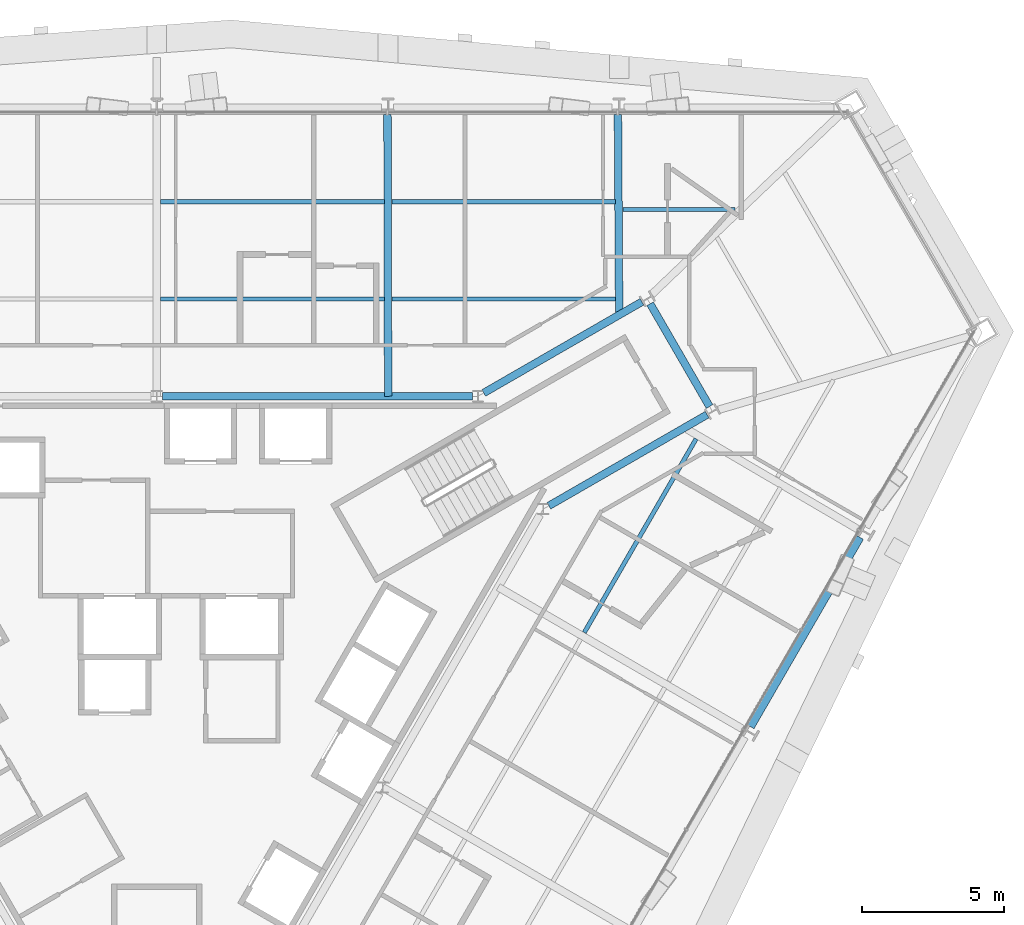
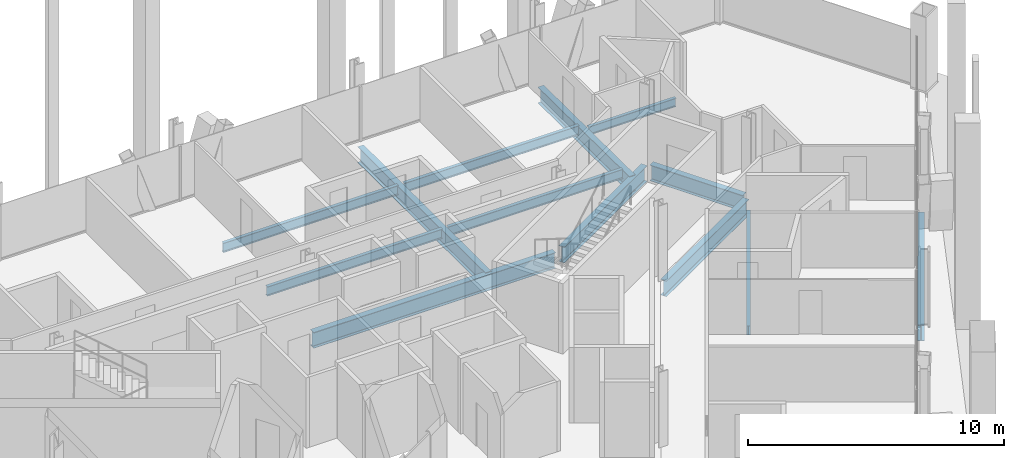
# One storey, part 9 of 19: 13 beams.
"""IFC4 building model written with IfcOpenShell, lengths in metres."""

import ifcopenshell
import ifcopenshell.guid

model = None  # the IFC model being written
_history = None  # IfcOwnerHistory: only IFC2X3 demands one
_inside = {}  # id of a spatial element -> (the spatial element, [elements in it])
_under = {}  # id of a project, library or spatial element -> (it, [spatial elements below it])
_declared = {}  # id of a project -> (the project, [libraries it declares])
_typed = {}  # id of a type object -> (the type object, [elements of that type])
_made_of = {}  # id of a material, layer set ... -> (it, [elements and type objects made of it])


def new_model(schema):
    """Start an empty IFC model of exactly this schema.

    Asked for "IFC4X3", IfcOpenShell would pick the latest addendum, in which some entities
    have other attributes; the version numbers below select the first issue.
    IFC2X3 requires an IfcOwnerHistory on every rooted entity: one is made here for all.
    """
    global model, _history
    if schema == "IFC4X3":
        model = ifcopenshell.file(schema_version=(4, 3, 0, 0))
    else:
        model = ifcopenshell.file(schema=schema)
    _inside.clear()
    _under.clear()
    _declared.clear()
    _typed.clear()
    _made_of.clear()
    _history = None
    if model.schema == "IFC2X3":
        org = make("IfcOrganization", Name="unknown")
        user = make(
            "IfcPersonAndOrganization",
            ThePerson=make("IfcPerson", FamilyName="unknown"),
            TheOrganization=org,
        )
        app = make(
            "IfcApplication",
            ApplicationDeveloper=org,
            Version="unknown",
            ApplicationFullName="unknown",
            ApplicationIdentifier="unknown",
        )
        _history = make(
            "IfcOwnerHistory",
            OwningUser=user,
            OwningApplication=app,
            ChangeAction="ADDED",
            CreationDate=0,
        )
    return model


def make(cls, **values):
    """One entity of the class cls with the attributes given. An attribute that is None is left unset."""
    return model.create_entity(
        cls, **{name: value for name, value in values.items() if value is not None}
    )


def rooted(cls, **values):
    """An entity with a GlobalId (a new one), such as an element, a storey or a relation."""
    return make(cls, GlobalId=ifcopenshell.guid.new(), OwnerHistory=_history, **values)


def si_unit(unit_type, name, prefix=None):
    """IfcSIUnit, for example si_unit("LENGTHUNIT", "METRE", prefix="MILLI")."""
    return make("IfcSIUnit", UnitType=unit_type, Prefix=prefix, Name=name)


def assignment(units):
    """IfcUnitAssignment: the units of a project."""
    return None if units is None else make("IfcUnitAssignment", Units=units)


def point(xyz):
    """IfcCartesianPoint."""
    return None if xyz is None else make("IfcCartesianPoint", Coordinates=xyz)


def direction(xyz):
    """IfcDirection."""
    return None if xyz is None else make("IfcDirection", DirectionRatios=xyz)


def frame(location, z_axis=None, x_axis=None):
    """IfcAxis2Placement3D, a coordinate frame: its origin and axes. An axis left out is left unset."""
    return make(
        "IfcAxis2Placement3D",
        Location=point(location),
        Axis=direction(z_axis),
        RefDirection=direction(x_axis),
    )


def frame_2d(location, x_axis=None):
    """IfcAxis2Placement2D, a coordinate frame in the plane: its origin and x axis."""
    return make(
        "IfcAxis2Placement2D", Location=point(location), RefDirection=direction(x_axis)
    )


def origin():
    """The frame at (0, 0, 0) with its axes left unset."""
    return frame((0.0, 0.0, 0.0))


def origin_2d():
    """The frame at (0, 0) in the plane with its x axis left unset."""
    return frame_2d((0.0, 0.0))


def place(relative_to, where):
    """IfcLocalPlacement: puts the frame where relative to a parent placement (None: the world)."""
    return make(
        "IfcLocalPlacement", PlacementRelTo=relative_to, RelativePlacement=where
    )


def context(
    kind, dimensions, precision=None, world=None, true_north=None, identifier=None
):
    """IfcGeometricRepresentationContext, for example the 3D "Model" context."""
    return make(
        "IfcGeometricRepresentationContext",
        ContextIdentifier=identifier,
        ContextType=kind,
        CoordinateSpaceDimension=dimensions,
        Precision=precision,
        WorldCoordinateSystem=world,
        TrueNorth=true_north,
    )


def subcontext(parent, identifier, kind, view, scale=None):
    """IfcGeometricRepresentationSubContext, for example "Body" below "Model"."""
    return make(
        "IfcGeometricRepresentationSubContext",
        ContextIdentifier=identifier,
        ContextType=kind,
        ParentContext=parent,
        TargetScale=scale,
        TargetView=view,
    )


def project(units=None, contexts=None):
    """IfcProject with its units and contexts."""
    return rooted(
        "IfcProject",
        Name="project",
        RepresentationContexts=contexts,
        UnitsInContext=assignment(units),
    )


def spatial(cls, under=None, at=None, **own):
    """A site, building, storey or space (cls), placed at a placement, below another one or the project."""
    s = rooted(cls, ObjectPlacement=at, **own)
    if under is not None:
        _under.setdefault(under.id(), (under, []))[1].append(s)
    return s


def profile(cls, at=None, kind="AREA", **sizes):
    """A parametric profile (cls). Its sizes go by their IFC names, for example OverallWidth=200.0."""
    return make(cls, ProfileType=kind, Position=at, **sizes)


def i_section(**sizes):
    """IfcIShapeProfileDef."""
    return profile("IfcIShapeProfileDef", **sizes)


def extrude(swept, where, along, depth):
    """IfcExtrudedAreaSolid: the profile swept, set in the frame where, extruded along a direction by depth."""
    return make(
        "IfcExtrudedAreaSolid",
        SweptArea=swept,
        Position=where,
        ExtrudedDirection=direction(along),
        Depth=depth,
    )


def shape(context_of_items, identifier, shape_type, items):
    """IfcShapeRepresentation: the items that make up one representation, for example the "Body"."""
    return make(
        "IfcShapeRepresentation",
        ContextOfItems=context_of_items,
        RepresentationIdentifier=identifier,
        RepresentationType=shape_type,
        Items=items,
    )


def material(Name=None, Category=None):
    """IfcMaterial."""
    return make("IfcMaterial", Name=Name, Category=Category)


def material_profile(
    of_material, cross_section, Name=None, Category=None, Priority=None
):
    """IfcMaterialProfile: a cross section and its material."""
    return make(
        "IfcMaterialProfile",
        Name=Name,
        Material=of_material,
        Profile=cross_section,
        Priority=Priority,
        Category=Category,
    )


def profile_set(profiles, Name=None, composite=None):
    """IfcMaterialProfileSet."""
    return make(
        "IfcMaterialProfileSet",
        Name=Name,
        MaterialProfiles=profiles,
        CompositeProfile=composite,
    )


def made_of(thing, what):
    """Note that an element or type object is made of a material, layer set ...; save() writes the relation."""
    if what is not None:
        _made_of.setdefault(what.id(), (what, []))[1].append(thing)
    return thing


def type_object(cls, material=None, **own):
    """A type object (cls), such as IfcWallType, which elements share."""
    return made_of(rooted(cls, **own), material)


def element(
    cls,
    number,
    at=None,
    inside=None,
    cuts=None,
    type_object=None,
    material=None,
    context=None,
    identifier="Body",
    shape_type=None,
    held_by="IfcProductDefinitionShape",
    body=None,
    shapes=None,
    **own,
):
    """One element of the class cls, such as IfcWall. Its Tag is "e" and its number.

    at: its placement. inside: the storey or other place that contains it. cuts: it is an
    opening in that element (IfcRelVoidsElement). A single representation is given by context,
    identifier, shape_type and body (its items); several are given by shapes. held_by: the class
    of the entity that holds the representations. save() writes the other relations.
    """
    e = rooted(cls, Tag="e%d" % number, ObjectPlacement=at, **own)
    if body is not None:
        shapes = [shape(context, identifier, shape_type, body)]
    if shapes is not None:
        e.Representation = make(held_by, Representations=shapes)
    if inside is not None:
        _inside.setdefault(inside.id(), (inside, []))[1].append(e)
    if cuts is not None:
        rooted(
            "IfcRelVoidsElement", RelatingBuildingElement=cuts, RelatedOpeningElement=e
        )
    if type_object is not None:
        _typed.setdefault(type_object.id(), (type_object, []))[1].append(e)
    return made_of(e, material)


def aggregate(whole, parts):
    """IfcRelAggregates: a whole, such as a stair, and the parts it consists of."""
    return rooted("IfcRelAggregates", RelatingObject=whole, RelatedObjects=parts)


def save(model, path):
    """Write the relations noted so far, then the file.

    IfcRelAggregates (storeys below a building ...), IfcRelContainedInSpatialStructure (elements
    in a storey), IfcRelDefinesByType, IfcRelAssociatesMaterial and IfcRelDeclares: one each for
    every whole, place, type object, material and project.
    """
    for whole, parts in _under.values():
        aggregate(whole, parts)
    for where, things in _inside.values():
        rooted(
            "IfcRelContainedInSpatialStructure",
            RelatedElements=things,
            RelatingStructure=where,
        )
    for kind, things in _typed.values():
        rooted("IfcRelDefinesByType", RelatedObjects=things, RelatingType=kind)
    for what, things in _made_of.values():
        rooted("IfcRelAssociatesMaterial", RelatedObjects=things, RelatingMaterial=what)
    for by, libraries in _declared.values():
        rooted("IfcRelDeclares", RelatingContext=by, RelatedDefinitions=libraries)
    model.write(path)


model = new_model("IFC4")

# Units and contexts
model_context = context("Model", 3, precision=1e-05, world=origin(), true_north=direction((0.0, 1.0)))
body_context = subcontext(model_context, "Body", "Model", "MODEL_VIEW")
ifc_project = project(units=[si_unit("LENGTHUNIT", "METRE"), si_unit("AREAUNIT", "SQUARE_METRE"), si_unit("VOLUMEUNIT", "CUBIC_METRE"), si_unit("PLANEANGLEUNIT", "RADIAN"), si_unit("MASSUNIT", "GRAM", prefix="KILO")], contexts=[model_context])

# Site, building, storey
site_placement = place(None, origin())
site = spatial("IfcSite", under=ifc_project, at=site_placement, CompositionType="ELEMENT")
building_placement = place(site_placement, origin())
building = spatial("IfcBuilding", under=site, at=building_placement, Name="Verrane Prism Tower", CompositionType="ELEMENT")
storey_placement = place(building_placement, frame((0.0, 0.0, 121.60009765625)))
storey = spatial("IfcBuildingStorey", under=building, at=storey_placement, Name="L29", CompositionType="ELEMENT", Elevation=121.60009765625)

# Beams
ifc_material_1 = material(Name="Steel A992", Category="steel")
ifc_material_profile_1 = material_profile(ifc_material_1, i_section(OverallWidth=0.2666015625, OverallDepth=0.7568359375, WebThickness=0.013916015625, FlangeThickness=0.019287109375, FilletRadius=0.0166015625, at=origin_2d()), Name="W30x108")
ifc_profile_set_1 = profile_set([ifc_material_profile_1], Name="Steel A992")
beam_type_1 = type_object("IfcBeamType", Name="Core ring girder W30x108", PredefinedType="BEAM", material=ifc_profile_set_1)
beam_1_placement = place(storey_placement, frame((13.830810546875, 5.335693359375, -0.628662109375), z_axis=(0.866455532004, 0.499254254924, 0.0), x_axis=(-0.499254254924, 0.866455532004, 0.0)))
element("IfcBeam", 1, at=beam_1_placement, inside=storey, type_object=beam_type_1, Name="Core ring girder L29", PredefinedType="BEAM", context=body_context, shape_type="SweptSolid", body=[
    extrude(i_section(OverallWidth=0.2666015625, OverallDepth=0.7568359375, WebThickness=0.013916015625, FlangeThickness=0.019287109375, FilletRadius=0.0166015625, at=origin_2d()), origin(), (0.0, 0.0, 1.0), 6.441162109375),
])
beam_2_placement = place(storey_placement, frame((19.4970703125, 8.838134765625, -0.628662109375), z_axis=(-0.500367003619, 0.865813410435, 0.0), x_axis=(-0.865813410435, -0.500367003619, 0.0)))
element("IfcBeam", 2, at=beam_2_placement, inside=storey, type_object=beam_type_1, Name="Core ring girder L29", PredefinedType="BEAM", context=body_context, shape_type="SweptSolid", body=[
    extrude(i_section(OverallWidth=0.2666015625, OverallDepth=0.7568359375, WebThickness=0.013916015625, FlangeThickness=0.019287109375, FilletRadius=0.0166015625, at=origin_2d()), origin(), (0.0, 0.0, 1.0), 4.185302734375),
])
beam_3_placement = place(storey_placement, frame((17.11181640625, 12.531494140625, -0.628662109375), z_axis=(-0.866455532004, -0.499254254924, 0.0), x_axis=(0.499254254924, -0.866455532004, 0.0)))
element("IfcBeam", 3, at=beam_3_placement, inside=storey, type_object=beam_type_1, Name="Core ring girder L29", PredefinedType="BEAM", context=body_context, shape_type="SweptSolid", body=[
    extrude(i_section(OverallWidth=0.2666015625, OverallDepth=0.7568359375, WebThickness=0.013916015625, FlangeThickness=0.019287109375, FilletRadius=0.0166015625, at=origin_2d()), origin(), (0.0, 0.0, 1.0), 6.441162109375),
])
beam_4_placement = place(storey_placement, frame((11.12939453125, 9.199951171875, -0.628662109375), z_axis=(-1.0, 0.0, 0.0), x_axis=(0.0, -1.0, 0.0)))
element("IfcBeam", 4, at=beam_4_placement, inside=storey, type_object=beam_type_1, Name="Core ring girder L29", PredefinedType="BEAM", context=body_context, shape_type="SweptSolid", body=[
    extrude(i_section(OverallWidth=0.2666015625, OverallDepth=0.7568359375, WebThickness=0.013916015625, FlangeThickness=0.019287109375, FilletRadius=0.0166015625, at=origin_2d()), origin(), (0.0, 0.0, 1.0), 10.9287109375),
])
ifc_material_2 = material(Name="Steel A992", Category="steel")
ifc_material_profile_2 = material_profile(ifc_material_2, i_section(OverallWidth=0.140380859375, OverallDepth=0.40380859375, WebThickness=0.007080078125, FlangeThickness=0.01123046875, FilletRadius=0.01025390625, at=origin_2d()), Name="W16x31")
ifc_profile_set_2 = profile_set([ifc_material_profile_2], Name="Steel A992")
beam_type_2 = type_object("IfcBeamType", Name="Floor beam W16x31", PredefinedType="BEAM", material=ifc_profile_set_2)
beam_5_placement = place(storey_placement, frame((16.443603515625, 15.780029296875, -0.362060546875), z_axis=(1.0, 0.0, 0.0), x_axis=(0.0, 1.0, 0.0)))
element("IfcBeam", 5, at=beam_5_placement, inside=storey, type_object=beam_type_2, Name="Floor beam L29", PredefinedType="BEAM", context=body_context, shape_type="SweptSolid", body=[
    extrude(i_section(OverallWidth=0.140380859375, OverallDepth=0.40380859375, WebThickness=0.007080078125, FlangeThickness=0.01123046875, FilletRadius=0.01025390625, at=origin_2d()), origin(), (0.0, 0.0, 1.0), 3.94970703125),
])
ifc_material_3 = material(Name="Steel A992", Category="steel")
ifc_material_profile_3 = material_profile(ifc_material_3, i_section(OverallWidth=0.15234375, OverallDepth=0.449462890625, WebThickness=0.007568359375, FlangeThickness=0.0107421875, FilletRadius=0.01025390625, at=origin_2d()), Name="W18x35")
ifc_profile_set_3 = profile_set([ifc_material_profile_3], Name="Steel A992")
beam_type_3 = type_object("IfcBeamType", Name="Floor beam W18x35", PredefinedType="BEAM", material=ifc_profile_set_3)
for number, where, z_axis, x_axis, name in (
    (6, (8.29345703125, 12.6298828125, -0.385009765625), (1.0, 0.0, 0.0), (0.0, 1.0, 0.0), "Floor beam L29"),
    (7, (8.29345703125, 16.06005859375, -0.385009765625), (1.0, 0.0, 0.0), (0.0, 1.0, 0.0), "Floor beam L29"),
):
    element("IfcBeam", number, at=place(storey_placement, frame(where, z_axis=z_axis, x_axis=x_axis)), inside=storey, type_object=beam_type_3, Name=name, PredefinedType="BEAM", context=body_context, shape_type="SweptSolid", body=[
        extrude(i_section(OverallWidth=0.15234375, OverallDepth=0.449462890625, WebThickness=0.007568359375, FlangeThickness=0.0107421875, FilletRadius=0.01025390625, at=origin_2d()), origin(), (0.0, 0.0, 1.0), 7.883056640625),
    ])
for number, where, z_axis, x_axis, name in (
    (8, (0.133544921875, 12.6298828125, -0.385009765625), (1.0, 0.0, 0.0), (0.0, 1.0, 0.0), "Floor beam L29"),
    (9, (0.133544921875, 16.06005859375, -0.385009765625), (1.0, 0.0, 0.0), (0.0, 1.0, 0.0), "Floor beam L29"),
):
    element("IfcBeam", number, at=place(storey_placement, frame(where, z_axis=z_axis, x_axis=x_axis)), inside=storey, type_object=beam_type_3, Name=name, PredefinedType="BEAM", context=body_context, shape_type="SweptSolid", body=[
        extrude(i_section(OverallWidth=0.15234375, OverallDepth=0.449462890625, WebThickness=0.007568359375, FlangeThickness=0.0107421875, FilletRadius=0.01025390625, at=origin_2d()), origin(), (0.0, 0.0, 1.0), 7.89306640625),
    ])
beam_6_placement = place(storey_placement, frame((15.0810546875, 0.868408203125, -0.385009765625), z_axis=(0.499998505031, 0.866026266903, 0.0), x_axis=(-0.866026266903, 0.499998505031, 0.0)))
element("IfcBeam", 10, at=beam_6_placement, inside=storey, type_object=beam_type_3, Name="Floor beam L29", PredefinedType="BEAM", context=body_context, shape_type="SweptSolid", body=[
    extrude(i_section(OverallWidth=0.15234375, OverallDepth=0.449462890625, WebThickness=0.007568359375, FlangeThickness=0.0107421875, FilletRadius=0.01025390625, at=origin_2d()), origin(), (0.0, 0.0, 1.0), 7.88525390625),
])
ifc_material_4 = material(Name="Steel A992", Category="steel")
ifc_material_profile_4 = material_profile(ifc_material_4, i_section(OverallWidth=0.2666015625, OverallDepth=0.76708984375, WebThickness=0.014892578125, FlangeThickness=0.023681640625, FilletRadius=0.0166015625, at=origin_2d()), Name="W30x124")
ifc_profile_set_4 = profile_set([ifc_material_profile_4], Name="Steel A992")
beam_type_4 = type_object("IfcBeamType", Name="Radial girder W30x124", PredefinedType="BEAM", material=ifc_profile_set_4)
beam_7_placement = place(storey_placement, frame((16.265625, 19.14404296875, -0.603515625), z_axis=(0.006280719545, -0.999980276086, 0.0), x_axis=(0.999980276086, 0.006280719545, 0.0)))
element("IfcBeam", 11, at=beam_7_placement, inside=storey, type_object=beam_type_4, Name="Radial girder L29", PredefinedType="BEAM", context=body_context, shape_type="SweptSolid", body=[
    extrude(i_section(OverallWidth=0.2666015625, OverallDepth=0.76708984375, WebThickness=0.014892578125, FlangeThickness=0.023681640625, FilletRadius=0.0166015625, at=origin_2d()), origin(), (0.0, 0.0, 1.0), 7.07470703125),
])
beam_8_placement = place(storey_placement, frame((8.13671875, 19.14404296875, -0.603515625), z_axis=(0.002332369488, -0.999997280023, 0.0), x_axis=(0.999997280023, 0.002332369488, 0.0)))
element("IfcBeam", 12, at=beam_8_placement, inside=storey, type_object=beam_type_4, Name="Radial girder L29", PredefinedType="BEAM", context=body_context, shape_type="SweptSolid", body=[
    extrude(i_section(OverallWidth=0.2666015625, OverallDepth=0.76708984375, WebThickness=0.014892578125, FlangeThickness=0.023681640625, FilletRadius=0.0166015625, at=origin_2d()), origin(), (0.0, 0.0, 1.0), 9.944091796875),
])
ifc_material_5 = material(Name="Steel A992", Category="steel")
ifc_material_profile_5 = material_profile(ifc_material_5, i_section(OverallWidth=0.2666015625, OverallDepth=0.7568359375, WebThickness=0.013916015625, FlangeThickness=0.019287109375, FilletRadius=0.0166015625, at=origin_2d()), Name="W30x108")
ifc_profile_set_5 = profile_set([ifc_material_profile_5], Name="Steel A992")
beam_type_5 = type_object("IfcBeamType", Name="Spandrel beam W30x108", PredefinedType="SPANDREL", material=ifc_profile_set_5)
beam_9_placement = place(storey_placement, frame((20.94970703125, -2.459716796875, -0.53857421875), z_axis=(0.500403614739, 0.865792251268, 0.0), x_axis=(-0.865792251268, 0.500403614739, 0.0)))
element("IfcBeam", 13, at=beam_9_placement, inside=storey, type_object=beam_type_5, Name="Spandrel beam L29", PredefinedType="SPANDREL", context=body_context, shape_type="SweptSolid", body=[
    extrude(i_section(OverallWidth=0.2666015625, OverallDepth=0.7568359375, WebThickness=0.013916015625, FlangeThickness=0.019287109375, FilletRadius=0.0166015625, at=origin_2d()), origin(), (0.0, 0.0, 1.0), 7.7138671875),
])

save(model, "model.ifc")
